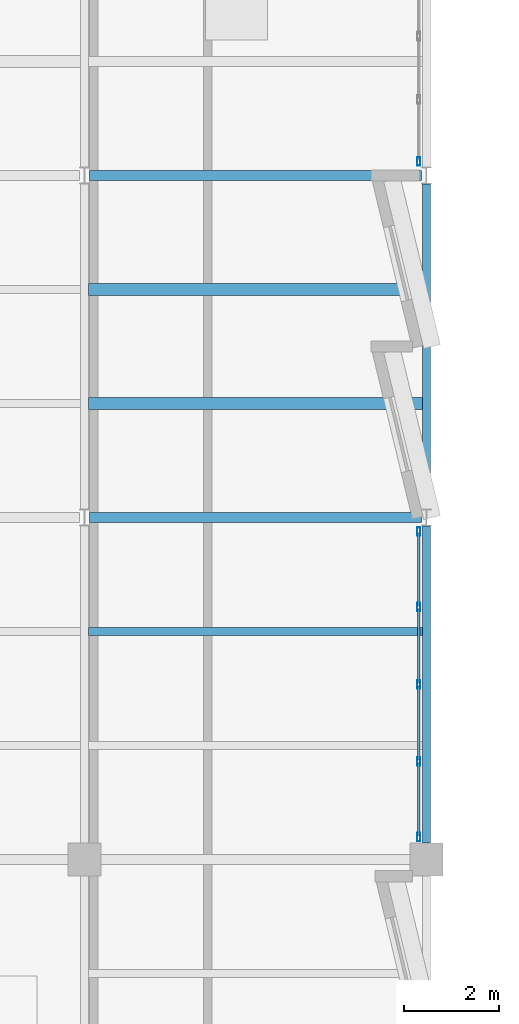
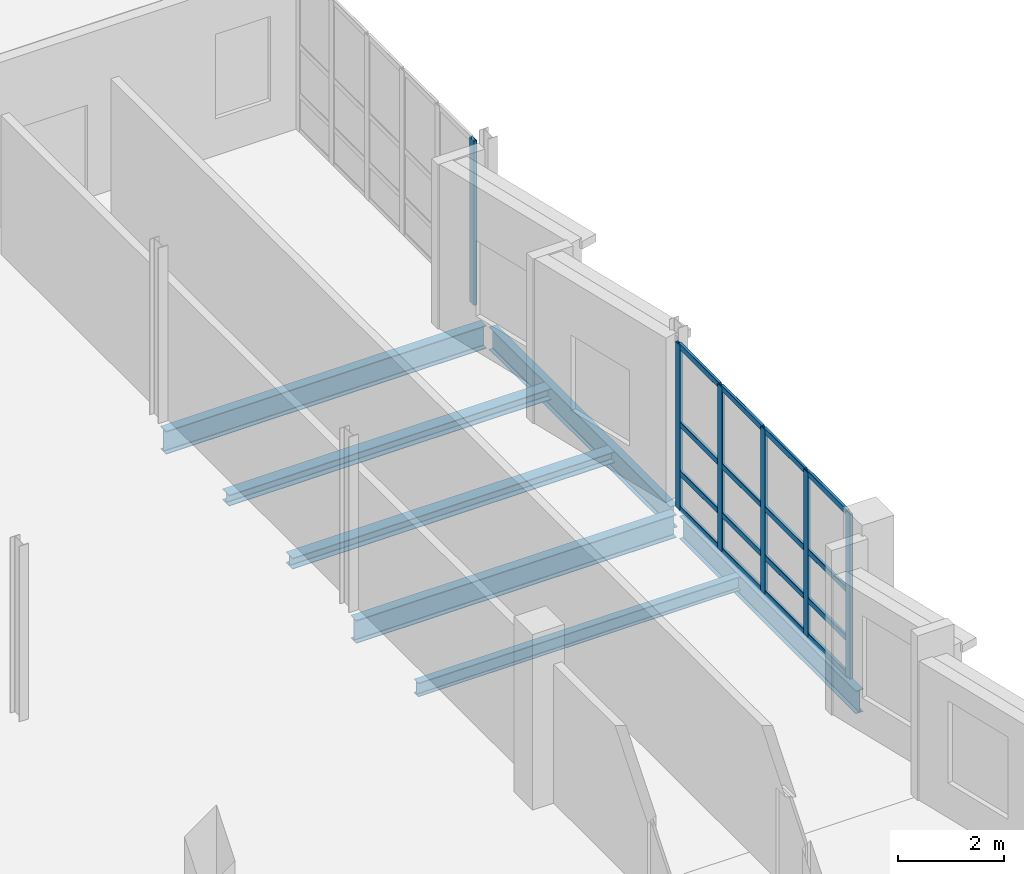
# One storey, part 16 of 33: 22 members, 7 beams, 2 elements without a shape of their own.
"""IFC4 building model written with IfcOpenShell, lengths in metres."""

from ifc_helpers import new_model, si_unit, direction, frame, origin, origin_2d, place, context, subcontext, project, spatial, hollow_rectangle, i_section, extrude, material, material_profile, profile_set, type_object, element, aggregate, save


model = new_model("IFC4")

# Units and contexts
model_context = context("Model", 3, precision=1e-05, world=origin(), true_north=direction((0.0, 1.0)))
body_context = subcontext(model_context, "Body", "Model", "MODEL_VIEW")
ifc_project = project(units=[si_unit("LENGTHUNIT", "METRE"), si_unit("AREAUNIT", "SQUARE_METRE"), si_unit("VOLUMEUNIT", "CUBIC_METRE"), si_unit("PLANEANGLEUNIT", "RADIAN"), si_unit("MASSUNIT", "GRAM", prefix="KILO")], contexts=[model_context])

# Site, building, storey
site_placement = place(None, origin())
site = spatial("IfcSite", under=ifc_project, at=site_placement, CompositionType="ELEMENT")
building_placement = place(site_placement, origin())
building = spatial("IfcBuilding", under=site, at=building_placement, Name="Kalmorath City Hall", CompositionType="ELEMENT")
storey_placement = place(building_placement, frame((0.0, 0.0, 22.949951171875)))
storey = spatial("IfcBuildingStorey", under=building, at=storey_placement, Name="L05", CompositionType="ELEMENT", Elevation=22.949951171875)

# Curtain wall, member
ifc_material_1 = material(Name="Anodised aluminium and laminated glass", Category="aluminium")
curtain_wall_type_1 = type_object("IfcCurtainWallType", Name="Unitised hurricane curtain wall 6670x3800 M1450", PredefinedType="NOTDEFINED", material=ifc_material_1)
curtain_wall_1_placement = place(storey_placement, origin())
curtain_wall_1 = element("IfcCurtainWall", 1, at=curtain_wall_1_placement, inside=storey, type_object=curtain_wall_type_1, Name="L05 curtain wall CW-67X38M14 #170", PredefinedType="NOTDEFINED")
ifc_material_2 = material(Name="Anodised aluminium framing", Category="aluminium")
ifc_material_profile_1 = material_profile(ifc_material_2, hollow_rectangle(XDim=0.06494140625, YDim=0.179931640625, WallThickness=0.00390625, InnerFilletRadius=0.00390625, OuterFilletRadius=0.008056640625, at=origin_2d()), Name="ALU-MUL-180X65X4")
ifc_profile_set_1 = profile_set([ifc_material_profile_1], Name="Anodised aluminium framing")
member_type_1 = type_object("IfcMemberType", Name="Curtain-wall courtyard mullion 180x65", PredefinedType="MULLION", material=ifc_profile_set_1)
member_1_placement = place(storey_placement, frame((21.43994140625, 79.49755859375, 0.0), z_axis=(0.0, 0.0, 1.0), x_axis=(1.0, 0.0, 0.0)))
member_1 = element("IfcMember", 2, at=member_1_placement, type_object=member_type_1, Name="CW-67X38M14 mullion 6", PredefinedType="MULLION", context=body_context, shape_type="SweptSolid", body=[
    extrude(hollow_rectangle(XDim=0.06494140625, YDim=0.179931640625, WallThickness=0.00390625, InnerFilletRadius=0.00390625, OuterFilletRadius=0.008056640625, at=origin_2d()), origin(), (0.0, 0.0, 1.0), 3.800048828125),
])
aggregate(curtain_wall_1, [member_1])

# Curtain wall, members
ifc_material_3 = material(Name="Anodised aluminium and laminated glass", Category="aluminium")
curtain_wall_type_2 = type_object("IfcCurtainWallType", Name="Unitised hurricane curtain wall 6495x3800 M1450", PredefinedType="NOTDEFINED", material=ifc_material_3)
curtain_wall_2_placement = place(storey_placement, origin())
curtain_wall_2 = element("IfcCurtainWall", 3, at=curtain_wall_2_placement, inside=storey, type_object=curtain_wall_type_2, Name="L05 curtain wall CW-65X38M14 #171", PredefinedType="NOTDEFINED")
member_2_placement = place(storey_placement, frame((21.43994140625, 71.702392578125, 0.0), z_axis=(0.0, 0.0, 1.0), x_axis=(1.0, 0.0, 0.0)))
member_2 = element("IfcMember", 4, at=member_2_placement, type_object=member_type_1, Name="CW-65X38M14 mullion 1", PredefinedType="MULLION", context=body_context, shape_type="SweptSolid", body=[
    extrude(hollow_rectangle(XDim=0.06494140625, YDim=0.179931640625, WallThickness=0.00390625, InnerFilletRadius=0.00390625, OuterFilletRadius=0.008056640625, at=origin_2d()), origin(), (0.0, 0.0, 1.0), 3.800048828125),
])
member_3_placement = place(storey_placement, frame((21.43994140625, 70.111328125, 0.0), z_axis=(0.0, 0.0, 1.0), x_axis=(1.0, 0.0, 0.0)))
member_3 = element("IfcMember", 5, at=member_3_placement, type_object=member_type_1, Name="CW-65X38M14 mullion 2", PredefinedType="MULLION", context=body_context, shape_type="SweptSolid", body=[
    extrude(hollow_rectangle(XDim=0.06494140625, YDim=0.179931640625, WallThickness=0.00390625, InnerFilletRadius=0.00390625, OuterFilletRadius=0.008056640625, at=origin_2d()), origin(), (0.0, 0.0, 1.0), 3.800048828125),
])
member_4_placement = place(storey_placement, frame((21.43994140625, 68.487548828125, 0.0), z_axis=(0.0, 0.0, 1.0), x_axis=(1.0, 0.0, 0.0)))
member_4 = element("IfcMember", 6, at=member_4_placement, type_object=member_type_1, Name="CW-65X38M14 mullion 3", PredefinedType="MULLION", context=body_context, shape_type="SweptSolid", body=[
    extrude(hollow_rectangle(XDim=0.06494140625, YDim=0.179931640625, WallThickness=0.00390625, InnerFilletRadius=0.00390625, OuterFilletRadius=0.008056640625, at=origin_2d()), origin(), (0.0, 0.0, 1.0), 3.800048828125),
])
member_5_placement = place(storey_placement, frame((21.43994140625, 66.86376953125, 0.0), z_axis=(0.0, 0.0, 1.0), x_axis=(1.0, 0.0, 0.0)))
member_5 = element("IfcMember", 7, at=member_5_placement, type_object=member_type_1, Name="CW-65X38M14 mullion 4", PredefinedType="MULLION", context=body_context, shape_type="SweptSolid", body=[
    extrude(hollow_rectangle(XDim=0.06494140625, YDim=0.179931640625, WallThickness=0.00390625, InnerFilletRadius=0.00390625, OuterFilletRadius=0.008056640625, at=origin_2d()), origin(), (0.0, 0.0, 1.0), 3.800048828125),
])
member_6_placement = place(storey_placement, frame((21.43994140625, 65.2724609375, 0.0), z_axis=(0.0, 0.0, 1.0), x_axis=(1.0, 0.0, 0.0)))
member_6 = element("IfcMember", 8, at=member_6_placement, type_object=member_type_1, Name="CW-65X38M14 mullion 5", PredefinedType="MULLION", context=body_context, shape_type="SweptSolid", body=[
    extrude(hollow_rectangle(XDim=0.06494140625, YDim=0.179931640625, WallThickness=0.00390625, InnerFilletRadius=0.00390625, OuterFilletRadius=0.008056640625, at=origin_2d()), origin(), (0.0, 0.0, 1.0), 3.800048828125),
])
ifc_material_4 = material(Name="Anodised aluminium framing", Category="aluminium")
ifc_material_profile_2 = material_profile(ifc_material_4, hollow_rectangle(XDim=0.06005859375, YDim=0.1298828125, WallThickness=0.00341796875, InnerFilletRadius=0.00341796875, OuterFilletRadius=0.007080078125, at=origin_2d()), Name="ALU-TRN-130X60X3.5")
ifc_profile_set_2 = profile_set([ifc_material_profile_2], Name="Anodised aluminium framing")
member_type_2 = type_object("IfcMemberType", Name="Curtain-wall courtyard transom 130x60", PredefinedType="USERDEFINED", material=ifc_profile_set_2)
member_7_placement = place(storey_placement, frame((21.43994140625, 71.669921875, 0.030029296875), z_axis=(0.0, -1.0, 0.0), x_axis=(1.0, 0.0, 0.0)))
member_7 = element("IfcMember", 9, at=member_7_placement, type_object=member_type_2, Name="CW-65X38M14 transom 1.1", ObjectType="TRANSOM", PredefinedType="USERDEFINED", context=body_context, shape_type="SweptSolid", body=[
    extrude(hollow_rectangle(XDim=0.06005859375, YDim=0.1298828125, WallThickness=0.00341796875, InnerFilletRadius=0.00341796875, OuterFilletRadius=0.007080078125, at=origin_2d()), origin(), (0.0, 0.0, 1.0), 1.526123046875),
])
member_8_placement = place(storey_placement, frame((21.43994140625, 71.669921875, 0.85009765625), z_axis=(0.0, -1.0, 0.0), x_axis=(1.0, 0.0, 0.0)))
member_8 = element("IfcMember", 10, at=member_8_placement, type_object=member_type_2, Name="CW-65X38M14 transom 1.2", ObjectType="TRANSOM", PredefinedType="USERDEFINED", context=body_context, shape_type="SweptSolid", body=[
    extrude(hollow_rectangle(XDim=0.06005859375, YDim=0.1298828125, WallThickness=0.00341796875, InnerFilletRadius=0.00341796875, OuterFilletRadius=0.007080078125, at=origin_2d()), origin(), (0.0, 0.0, 1.0), 1.526123046875),
])
member_9_placement = place(storey_placement, frame((21.43994140625, 71.669921875, 1.97607421875), z_axis=(0.0, -1.0, 0.0), x_axis=(1.0, 0.0, 0.0)))
member_9 = element("IfcMember", 11, at=member_9_placement, type_object=member_type_2, Name="CW-65X38M14 transom 1.3", ObjectType="TRANSOM", PredefinedType="USERDEFINED", context=body_context, shape_type="SweptSolid", body=[
    extrude(hollow_rectangle(XDim=0.06005859375, YDim=0.1298828125, WallThickness=0.00341796875, InnerFilletRadius=0.00341796875, OuterFilletRadius=0.007080078125, at=origin_2d()), origin(), (0.0, 0.0, 1.0), 1.526123046875),
])
member_10_placement = place(storey_placement, frame((21.43994140625, 71.669921875, 3.77001953125), z_axis=(0.0, -1.0, 0.0), x_axis=(1.0, 0.0, 0.0)))
member_10 = element("IfcMember", 12, at=member_10_placement, type_object=member_type_2, Name="CW-65X38M14 transom 1.4", ObjectType="TRANSOM", PredefinedType="USERDEFINED", context=body_context, shape_type="SweptSolid", body=[
    extrude(hollow_rectangle(XDim=0.06005859375, YDim=0.1298828125, WallThickness=0.00341796875, InnerFilletRadius=0.00341796875, OuterFilletRadius=0.007080078125, at=origin_2d()), origin(), (0.0, 0.0, 1.0), 1.526123046875),
])
member_11_placement = place(storey_placement, frame((21.43994140625, 70.078857421875, 0.030029296875), z_axis=(0.0, -1.0, 0.0), x_axis=(1.0, 0.0, 0.0)))
member_11 = element("IfcMember", 13, at=member_11_placement, type_object=member_type_2, Name="CW-65X38M14 transom 2.1", ObjectType="TRANSOM", PredefinedType="USERDEFINED", context=body_context, shape_type="SweptSolid", body=[
    extrude(hollow_rectangle(XDim=0.06005859375, YDim=0.1298828125, WallThickness=0.00341796875, InnerFilletRadius=0.00341796875, OuterFilletRadius=0.007080078125, at=origin_2d()), origin(), (0.0, 0.0, 1.0), 1.558837890625),
])
member_12_placement = place(storey_placement, frame((21.43994140625, 70.078857421875, 0.85009765625), z_axis=(0.0, -1.0, 0.0), x_axis=(1.0, 0.0, 0.0)))
member_12 = element("IfcMember", 14, at=member_12_placement, type_object=member_type_2, Name="CW-65X38M14 transom 2.2", ObjectType="TRANSOM", PredefinedType="USERDEFINED", context=body_context, shape_type="SweptSolid", body=[
    extrude(hollow_rectangle(XDim=0.06005859375, YDim=0.1298828125, WallThickness=0.00341796875, InnerFilletRadius=0.00341796875, OuterFilletRadius=0.007080078125, at=origin_2d()), origin(), (0.0, 0.0, 1.0), 1.558837890625),
])
member_13_placement = place(storey_placement, frame((21.43994140625, 70.078857421875, 1.97607421875), z_axis=(0.0, -1.0, 0.0), x_axis=(1.0, 0.0, 0.0)))
member_13 = element("IfcMember", 15, at=member_13_placement, type_object=member_type_2, Name="CW-65X38M14 transom 2.3", ObjectType="TRANSOM", PredefinedType="USERDEFINED", context=body_context, shape_type="SweptSolid", body=[
    extrude(hollow_rectangle(XDim=0.06005859375, YDim=0.1298828125, WallThickness=0.00341796875, InnerFilletRadius=0.00341796875, OuterFilletRadius=0.007080078125, at=origin_2d()), origin(), (0.0, 0.0, 1.0), 1.558837890625),
])
member_14_placement = place(storey_placement, frame((21.43994140625, 70.078857421875, 3.77001953125), z_axis=(0.0, -1.0, 0.0), x_axis=(1.0, 0.0, 0.0)))
member_14 = element("IfcMember", 16, at=member_14_placement, type_object=member_type_2, Name="CW-65X38M14 transom 2.4", ObjectType="TRANSOM", PredefinedType="USERDEFINED", context=body_context, shape_type="SweptSolid", body=[
    extrude(hollow_rectangle(XDim=0.06005859375, YDim=0.1298828125, WallThickness=0.00341796875, InnerFilletRadius=0.00341796875, OuterFilletRadius=0.007080078125, at=origin_2d()), origin(), (0.0, 0.0, 1.0), 1.558837890625),
])
member_15_placement = place(storey_placement, frame((21.43994140625, 68.455078125, 0.030029296875), z_axis=(0.0, -1.0, 0.0), x_axis=(1.0, 0.0, 0.0)))
member_15 = element("IfcMember", 17, at=member_15_placement, type_object=member_type_2, Name="CW-65X38M14 transom 3.1", ObjectType="TRANSOM", PredefinedType="USERDEFINED", context=body_context, shape_type="SweptSolid", body=[
    extrude(hollow_rectangle(XDim=0.06005859375, YDim=0.1298828125, WallThickness=0.00341796875, InnerFilletRadius=0.00341796875, OuterFilletRadius=0.007080078125, at=origin_2d()), origin(), (0.0, 0.0, 1.0), 1.558837890625),
])
member_16_placement = place(storey_placement, frame((21.43994140625, 68.455078125, 0.85009765625), z_axis=(0.0, -1.0, 0.0), x_axis=(1.0, 0.0, 0.0)))
member_16 = element("IfcMember", 18, at=member_16_placement, type_object=member_type_2, Name="CW-65X38M14 transom 3.2", ObjectType="TRANSOM", PredefinedType="USERDEFINED", context=body_context, shape_type="SweptSolid", body=[
    extrude(hollow_rectangle(XDim=0.06005859375, YDim=0.1298828125, WallThickness=0.00341796875, InnerFilletRadius=0.00341796875, OuterFilletRadius=0.007080078125, at=origin_2d()), origin(), (0.0, 0.0, 1.0), 1.558837890625),
])
member_17_placement = place(storey_placement, frame((21.43994140625, 68.455078125, 1.97607421875), z_axis=(0.0, -1.0, 0.0), x_axis=(1.0, 0.0, 0.0)))
member_17 = element("IfcMember", 19, at=member_17_placement, type_object=member_type_2, Name="CW-65X38M14 transom 3.3", ObjectType="TRANSOM", PredefinedType="USERDEFINED", context=body_context, shape_type="SweptSolid", body=[
    extrude(hollow_rectangle(XDim=0.06005859375, YDim=0.1298828125, WallThickness=0.00341796875, InnerFilletRadius=0.00341796875, OuterFilletRadius=0.007080078125, at=origin_2d()), origin(), (0.0, 0.0, 1.0), 1.558837890625),
])
member_18_placement = place(storey_placement, frame((21.43994140625, 68.455078125, 3.77001953125), z_axis=(0.0, -1.0, 0.0), x_axis=(1.0, 0.0, 0.0)))
member_18 = element("IfcMember", 20, at=member_18_placement, type_object=member_type_2, Name="CW-65X38M14 transom 3.4", ObjectType="TRANSOM", PredefinedType="USERDEFINED", context=body_context, shape_type="SweptSolid", body=[
    extrude(hollow_rectangle(XDim=0.06005859375, YDim=0.1298828125, WallThickness=0.00341796875, InnerFilletRadius=0.00341796875, OuterFilletRadius=0.007080078125, at=origin_2d()), origin(), (0.0, 0.0, 1.0), 1.558837890625),
])
member_19_placement = place(storey_placement, frame((21.43994140625, 66.831298828125, 0.030029296875), z_axis=(0.0, -1.0, 0.0), x_axis=(1.0, 0.0, 0.0)))
member_19 = element("IfcMember", 21, at=member_19_placement, type_object=member_type_2, Name="CW-65X38M14 transom 4.1", ObjectType="TRANSOM", PredefinedType="USERDEFINED", context=body_context, shape_type="SweptSolid", body=[
    extrude(hollow_rectangle(XDim=0.06005859375, YDim=0.1298828125, WallThickness=0.00341796875, InnerFilletRadius=0.00341796875, OuterFilletRadius=0.007080078125, at=origin_2d()), origin(), (0.0, 0.0, 1.0), 1.5263671875),
])
member_20_placement = place(storey_placement, frame((21.43994140625, 66.831298828125, 0.85009765625), z_axis=(0.0, -1.0, 0.0), x_axis=(1.0, 0.0, 0.0)))
member_20 = element("IfcMember", 22, at=member_20_placement, type_object=member_type_2, Name="CW-65X38M14 transom 4.2", ObjectType="TRANSOM", PredefinedType="USERDEFINED", context=body_context, shape_type="SweptSolid", body=[
    extrude(hollow_rectangle(XDim=0.06005859375, YDim=0.1298828125, WallThickness=0.00341796875, InnerFilletRadius=0.00341796875, OuterFilletRadius=0.007080078125, at=origin_2d()), origin(), (0.0, 0.0, 1.0), 1.5263671875),
])
member_21_placement = place(storey_placement, frame((21.43994140625, 66.831298828125, 1.97607421875), z_axis=(0.0, -1.0, 0.0), x_axis=(1.0, 0.0, 0.0)))
member_21 = element("IfcMember", 23, at=member_21_placement, type_object=member_type_2, Name="CW-65X38M14 transom 4.3", ObjectType="TRANSOM", PredefinedType="USERDEFINED", context=body_context, shape_type="SweptSolid", body=[
    extrude(hollow_rectangle(XDim=0.06005859375, YDim=0.1298828125, WallThickness=0.00341796875, InnerFilletRadius=0.00341796875, OuterFilletRadius=0.007080078125, at=origin_2d()), origin(), (0.0, 0.0, 1.0), 1.5263671875),
])
member_22_placement = place(storey_placement, frame((21.43994140625, 66.831298828125, 3.77001953125), z_axis=(0.0, -1.0, 0.0), x_axis=(1.0, 0.0, 0.0)))
member_22 = element("IfcMember", 24, at=member_22_placement, type_object=member_type_2, Name="CW-65X38M14 transom 4.4", ObjectType="TRANSOM", PredefinedType="USERDEFINED", context=body_context, shape_type="SweptSolid", body=[
    extrude(hollow_rectangle(XDim=0.06005859375, YDim=0.1298828125, WallThickness=0.00341796875, InnerFilletRadius=0.00341796875, OuterFilletRadius=0.007080078125, at=origin_2d()), origin(), (0.0, 0.0, 1.0), 1.5263671875),
])
aggregate(curtain_wall_2, [member_2, member_3, member_4, member_5, member_6, member_7, member_8, member_9, member_10, member_11, member_12, member_13, member_14, member_15, member_16, member_17, member_18, member_19, member_20, member_21, member_22])

# Beams
ifc_material_5 = material(Name="Steel ASTM A992 Grade 50", Category="steel")
ifc_material_profile_3 = material_profile(ifc_material_5, i_section(OverallWidth=0.208984375, OverallDepth=0.532958984375, WebThickness=0.01025390625, FlangeThickness=0.015625, FilletRadius=0.014892578125, at=origin_2d()), Name="W21X62")
ifc_profile_set_3 = profile_set([ifc_material_profile_3], Name="Steel ASTM A992 Grade 50")
beam_type_1 = type_object("IfcBeamType", Name="Steel floor beam W21X62", PredefinedType="BEAM", material=ifc_profile_set_3)
for number, where, z_axis, x_axis, name in (
    (25, (14.501953125, 72.0, -0.560546875), (1.0, 0.0, 0.0), (0.0, 1.0, 0.0), "L05 girder SB2 X3-4/11"),
    (26, (14.501953125, 79.199951171875, -0.560546875), (1.0, 0.0, 0.0), (0.0, 1.0, 0.0), "L05 girder SB2 X3-4/12"),
):
    element("IfcBeam", number, at=place(storey_placement, frame(where, z_axis=z_axis, x_axis=x_axis)), inside=storey, type_object=beam_type_1, Name=name, PredefinedType="BEAM", context=body_context, shape_type="SweptSolid", body=[
        extrude(i_section(OverallWidth=0.208984375, OverallDepth=0.532958984375, WebThickness=0.01025390625, FlangeThickness=0.015625, FilletRadius=0.014892578125, at=origin_2d()), origin(), (0.0, 0.0, 1.0), 6.99609375),
    ])
ifc_material_6 = material(Name="Steel ASTM A992 Grade 50", Category="steel")
ifc_material_profile_4 = material_profile(ifc_material_6, i_section(OverallWidth=0.1669921875, OverallDepth=0.318115234375, WebThickness=0.007568359375, FlangeThickness=0.01318359375, FilletRadius=0.012939453125, at=origin_2d()), Name="W12X35")
ifc_profile_set_4 = profile_set([ifc_material_profile_4], Name="Steel ASTM A992 Grade 50")
beam_type_2 = type_object("IfcBeamType", Name="Steel header lintel W12X35", PredefinedType="LINTEL", material=ifc_profile_set_4)
beam_1_placement = place(storey_placement, frame((14.4833984375, 69.60009765625, -0.452880859375), z_axis=(1.0, 0.0, 0.0), x_axis=(0.0, 1.0, 0.0)))
element("IfcBeam", 27, at=beam_1_placement, inside=storey, type_object=beam_type_2, Name="L05 joist SJ13 3.10.2", PredefinedType="LINTEL", context=body_context, shape_type="SweptSolid", body=[
    extrude(i_section(OverallWidth=0.1669921875, OverallDepth=0.318115234375, WebThickness=0.007568359375, FlangeThickness=0.01318359375, FilletRadius=0.012939453125, at=origin_2d()), origin(), (0.0, 0.0, 1.0), 7.0341796875),
])
ifc_material_7 = material(Name="Steel ASTM A992 Grade 50", Category="steel")
ifc_material_profile_5 = material_profile(ifc_material_7, i_section(OverallWidth=0.1650390625, OverallDepth=0.52490234375, WebThickness=0.0087890625, FlangeThickness=0.011474609375, FilletRadius=0.014892578125, at=origin_2d()), Name="W21X44")
ifc_profile_set_5 = profile_set([ifc_material_profile_5], Name="Steel ASTM A992 Grade 50")
beam_type_3 = type_object("IfcBeamType", Name="Steel spandrel beam W21X44", PredefinedType="SPANDREL", material=ifc_profile_set_5)
beam_2_placement = place(storey_placement, frame((21.60009765625, 65.14990234375, -0.556396484375), z_axis=(0.0, 1.0, 0.0), x_axis=(-1.0, 0.0, 0.0)))
element("IfcBeam", 28, at=beam_2_placement, inside=storey, type_object=beam_type_3, Name="L05 girder SB4 Y4/10-11", PredefinedType="SPANDREL", context=body_context, shape_type="SweptSolid", body=[
    extrude(i_section(OverallWidth=0.1650390625, OverallDepth=0.52490234375, WebThickness=0.0087890625, FlangeThickness=0.011474609375, FilletRadius=0.014892578125, at=origin_2d()), origin(), (0.0, 0.0, 1.0), 6.675048828125),
])
beam_3_placement = place(storey_placement, frame((21.60009765625, 72.175048828125, -0.556396484375), z_axis=(0.0, 1.0, 0.0), x_axis=(-1.0, 0.0, 0.0)))
element("IfcBeam", 29, at=beam_3_placement, inside=storey, type_object=beam_type_3, Name="L05 girder SB4 Y4/11-12", PredefinedType="SPANDREL", context=body_context, shape_type="SweptSolid", body=[
    extrude(i_section(OverallWidth=0.1650390625, OverallDepth=0.52490234375, WebThickness=0.0087890625, FlangeThickness=0.011474609375, FilletRadius=0.014892578125, at=origin_2d()), origin(), (0.0, 0.0, 1.0), 6.849853515625),
])
ifc_material_8 = material(Name="Steel ASTM A992 Grade 50", Category="steel")
ifc_material_profile_6 = material_profile(ifc_material_8, i_section(OverallWidth=0.25390625, OverallDepth=0.2529296875, WebThickness=0.008544921875, FlangeThickness=0.01416015625, FilletRadius=0.011962890625, at=origin_2d()), Name="W10X49")
ifc_profile_set_6 = profile_set([ifc_material_profile_6], Name="Steel ASTM A992 Grade 50")
beam_type_4 = type_object("IfcBeamType", Name="Steel trimmer beam W10X49", PredefinedType="BEAM", material=ifc_profile_set_6)
for number, where, z_axis, x_axis, name in (
    (30, (14.4833984375, 74.39990234375, -0.42041015625), (1.0, 0.0, 0.0), (0.0, 1.0, 0.0), "L05 joist SJ14 3.11.1"),
    (31, (14.4833984375, 76.800048828125, -0.42041015625), (1.0, 0.0, 0.0), (0.0, 1.0, 0.0), "L05 joist SJ14 3.11.2"),
):
    element("IfcBeam", number, at=place(storey_placement, frame(where, z_axis=z_axis, x_axis=x_axis)), inside=storey, type_object=beam_type_4, Name=name, PredefinedType="BEAM", context=body_context, shape_type="SweptSolid", body=[
        extrude(i_section(OverallWidth=0.25390625, OverallDepth=0.2529296875, WebThickness=0.008544921875, FlangeThickness=0.01416015625, FilletRadius=0.011962890625, at=origin_2d()), origin(), (0.0, 0.0, 1.0), 7.0341796875),
    ])

save(model, "model.ifc")
